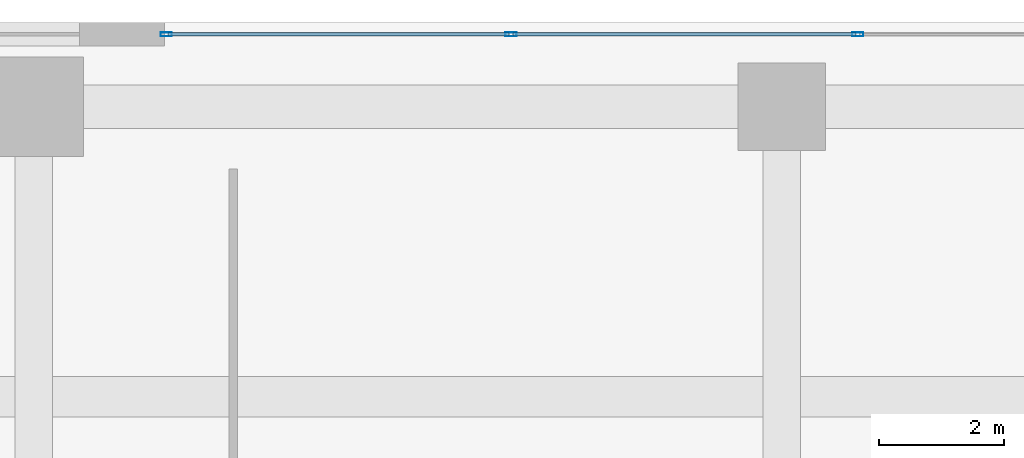
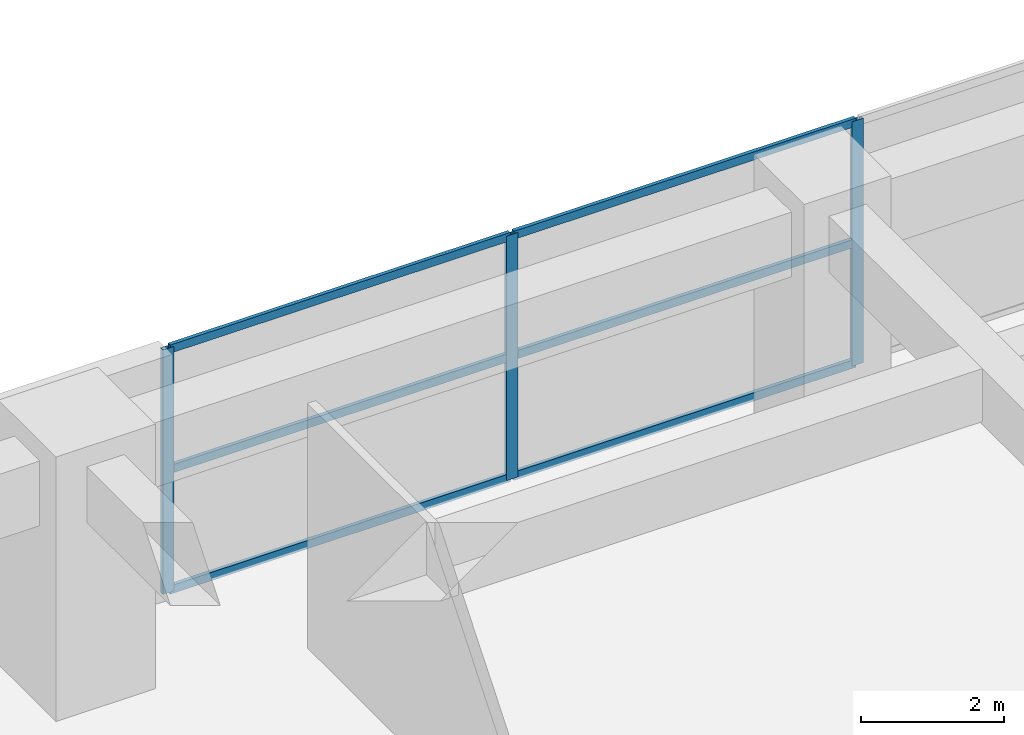
# One storey, part 19 of 39: 9 members, 1 element without a shape of its own.
"""IFC4 building model written with IfcOpenShell, lengths in metres."""

from ifc_helpers import new_model, si_unit, direction, frame, origin, origin_2d, place, context, subcontext, project, spatial, hollow_rectangle, extrude, source, transform, mapped, material, layer, layer_set, material_profile, profile_set, type_object, element, aggregate, save


model = new_model("IFC4")

# Units and contexts
model_context = context("Model", 3, precision=1e-05, world=origin(), true_north=direction((0.0, 1.0)))
body_context = subcontext(model_context, "Body", "Model", "MODEL_VIEW")
ifc_project = project(units=[si_unit("LENGTHUNIT", "METRE"), si_unit("AREAUNIT", "SQUARE_METRE"), si_unit("VOLUMEUNIT", "CUBIC_METRE"), si_unit("PLANEANGLEUNIT", "RADIAN"), si_unit("MASSUNIT", "GRAM", prefix="KILO")], contexts=[model_context])

# Site, building, storey
site_placement = place(None, origin())
site = spatial("IfcSite", under=ifc_project, at=site_placement, CompositionType="ELEMENT")
building_placement = place(site_placement, origin())
building = spatial("IfcBuilding", under=site, at=building_placement, Name="Khoralis Quay Care Tower", CompositionType="ELEMENT")
storey_placement = place(building_placement, origin())
storey = spatial("IfcBuildingStorey", under=building, at=storey_placement, Name="L00", CompositionType="ELEMENT", Elevation=0.0)

# Curtain wall, members
ifc_material = material(Name="Pale anodised aluminium", Category="aluminium")
ifc_layer = layer(ifc_material, 0.179931640625)
ifc_layer_set = layer_set([ifc_layer], Name="Pale anodised aluminium")
curtain_wall_type = type_object("IfcCurtainWallType", Name="CW-SYS-Z1", PredefinedType="NOTDEFINED", material=ifc_layer_set)
curtain_wall_placement = place(storey_placement, origin())
curtain_wall = element("IfcCurtainWall", 1, at=curtain_wall_placement, inside=storey, type_object=curtain_wall_type, Name="L00 Unitised Curtain Wall CW-POD-L00-E4", PredefinedType="NOTDEFINED")
ifc_material_profile_1 = material_profile(ifc_material, hollow_rectangle(XDim=0.06494140625, YDim=0.179931640625, WallThickness=0.00390625, at=origin_2d()), Name="Pale anodised aluminium")
ifc_profile_set_1 = profile_set([ifc_material_profile_1], Name="Pale anodised aluminium")
member_type_1 = type_object("IfcMemberType", Name="CW-MUL-180", PredefinedType="MULLION", material=ifc_profile_set_1)
shared_shape_1 = source(origin(), body_context, "Body", "SweptSolid", [
    extrude(hollow_rectangle(XDim=0.06494140625, YDim=0.179931640625, WallThickness=0.00390625, at=origin_2d()), origin(), (0.0, 0.0, 1.0), 4.159912109375),
])
member_1_placement = place(storey_placement, frame((25.218994140625, 47.81005859375, 0.0), z_axis=(0.0, 0.0, 1.0), x_axis=(0.0, -1.0, 0.0)))
member_1 = element("IfcMember", 2, at=member_1_placement, type_object=member_type_1, Name="CW1 mullion 4", PredefinedType="MULLION", context=body_context, shape_type="MappedRepresentation", body=[
    mapped(shared_shape_1, transform((0.0, 0.0, 0.0), scale=1.0)),
])
member_2_placement = place(storey_placement, frame((19.656982421875, 47.81005859375, 0.0), z_axis=(0.0, 0.0, 1.0), x_axis=(0.0, -1.0, 0.0)))
member_2 = element("IfcMember", 3, at=member_2_placement, type_object=member_type_1, Name="CW1 mullion 5", PredefinedType="MULLION", context=body_context, shape_type="MappedRepresentation", body=[
    mapped(shared_shape_1, transform((0.0, 0.0, 0.0), scale=1.0)),
])
member_3_placement = place(storey_placement, frame((14.125, 47.81005859375, 0.0), z_axis=(0.0, 0.0, 1.0), x_axis=(0.0, -1.0, 0.0)))
member_3 = element("IfcMember", 4, at=member_3_placement, type_object=member_type_1, Name="CW1 mullion 6", PredefinedType="MULLION", context=body_context, shape_type="MappedRepresentation", body=[
    mapped(shared_shape_1, transform((0.0, 0.0, 0.0), scale=1.0)),
])
ifc_material_profile_2 = material_profile(ifc_material, hollow_rectangle(XDim=0.06005859375, YDim=0.139892578125, WallThickness=0.00390625, at=origin_2d()), Name="Pale anodised aluminium")
ifc_profile_set_2 = profile_set([ifc_material_profile_2], Name="Pale anodised aluminium")
member_type_2 = type_object("IfcMemberType", Name="CW-TRN-140", PredefinedType="USERDEFINED", material=ifc_profile_set_2)
shared_shape_2 = source(origin(), body_context, "Body", "SweptSolid", [
    extrude(hollow_rectangle(XDim=0.06005859375, YDim=0.139892578125, WallThickness=0.00390625, at=origin_2d()), origin(), (0.0, 0.0, 1.0), 5.471923828125),
])
member_4_placement = place(storey_placement, frame((19.626953125, 47.81005859375, 0.030029296875), z_axis=(-1.0, 0.0, 0.0), x_axis=(0.0, -1.0, 0.0)))
member_4 = element("IfcMember", 5, at=member_4_placement, type_object=member_type_2, Name="CW1 transom 5.1", ObjectType="TRANSOM", PredefinedType="USERDEFINED", context=body_context, shape_type="MappedRepresentation", body=[
    mapped(shared_shape_2, transform((0.0, 0.0, 0.0), scale=1.0)),
])
member_5_placement = place(storey_placement, frame((19.626953125, 47.81005859375, 2.080078125), z_axis=(-1.0, 0.0, 0.0), x_axis=(0.0, -1.0, 0.0)))
member_5 = element("IfcMember", 6, at=member_5_placement, type_object=member_type_2, Name="CW1 transom 5.2", ObjectType="TRANSOM", PredefinedType="USERDEFINED", context=body_context, shape_type="MappedRepresentation", body=[
    mapped(shared_shape_2, transform((0.0, 0.0, 0.0), scale=1.0)),
])
member_6_placement = place(storey_placement, frame((19.626953125, 47.81005859375, 4.1298828125), z_axis=(-1.0, 0.0, 0.0), x_axis=(0.0, -1.0, 0.0)))
member_6 = element("IfcMember", 7, at=member_6_placement, type_object=member_type_2, Name="CW1 transom 5.3", ObjectType="TRANSOM", PredefinedType="USERDEFINED", context=body_context, shape_type="MappedRepresentation", body=[
    mapped(shared_shape_2, transform((0.0, 0.0, 0.0), scale=1.0)),
])
shared_shape_3 = source(origin(), body_context, "Body", "SweptSolid", [
    extrude(hollow_rectangle(XDim=0.06005859375, YDim=0.139892578125, WallThickness=0.00390625, at=origin_2d()), origin(), (0.0, 0.0, 1.0), 5.501953125),
])
member_7_placement = place(storey_placement, frame((25.18896484375, 47.81005859375, 0.030029296875), z_axis=(-1.0, 0.0, 0.0), x_axis=(0.0, -1.0, 0.0)))
member_7 = element("IfcMember", 8, at=member_7_placement, type_object=member_type_2, Name="CW1 transom 4.1", ObjectType="TRANSOM", PredefinedType="USERDEFINED", context=body_context, shape_type="MappedRepresentation", body=[
    mapped(shared_shape_3, transform((0.0, 0.0, 0.0), scale=1.0)),
])
member_8_placement = place(storey_placement, frame((25.18896484375, 47.81005859375, 2.080078125), z_axis=(-1.0, 0.0, 0.0), x_axis=(0.0, -1.0, 0.0)))
member_8 = element("IfcMember", 9, at=member_8_placement, type_object=member_type_2, Name="CW1 transom 4.2", ObjectType="TRANSOM", PredefinedType="USERDEFINED", context=body_context, shape_type="MappedRepresentation", body=[
    mapped(shared_shape_3, transform((0.0, 0.0, 0.0), scale=1.0)),
])
member_9_placement = place(storey_placement, frame((25.18896484375, 47.81005859375, 4.1298828125), z_axis=(-1.0, 0.0, 0.0), x_axis=(0.0, -1.0, 0.0)))
member_9 = element("IfcMember", 10, at=member_9_placement, type_object=member_type_2, Name="CW1 transom 4.3", ObjectType="TRANSOM", PredefinedType="USERDEFINED", context=body_context, shape_type="MappedRepresentation", body=[
    mapped(shared_shape_3, transform((0.0, 0.0, 0.0), scale=1.0)),
])
aggregate(curtain_wall, [member_1, member_2, member_3, member_7, member_8, member_9, member_4, member_5, member_6])

save(model, "model.ifc")
